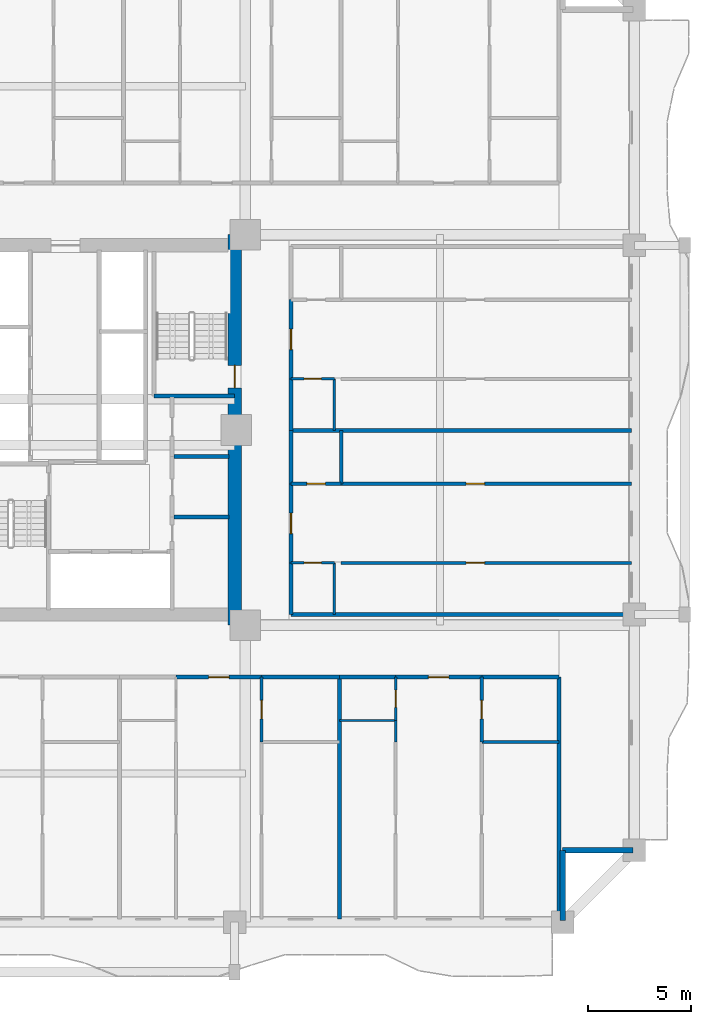
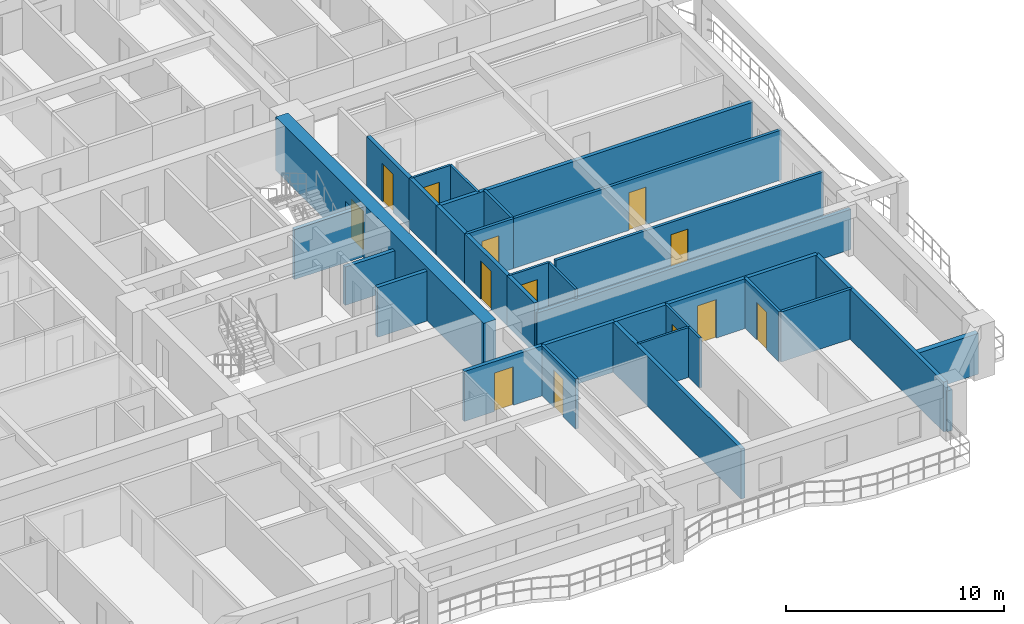
# One storey, part 5 of 16: 34 walls, 13 doors, 13 openings.
"""IFC4 building model written with IfcOpenShell, lengths in metres."""

from ifc_helpers import new_model, si_unit, direction, frame, frame_2d, origin, place, context, subcontext, project, spatial, rectangle, extrude, source, transform, mapped, material, layer, layer_set, type_object, element, fill, save


model = new_model("IFC4")

# Units and contexts
model_context = context("Model", 3, precision=1e-05, world=origin(), true_north=direction((0.0, 1.0)))
body_context = subcontext(model_context, "Body", "Model", "MODEL_VIEW")
ifc_project = project(units=[si_unit("LENGTHUNIT", "METRE"), si_unit("AREAUNIT", "SQUARE_METRE"), si_unit("VOLUMEUNIT", "CUBIC_METRE"), si_unit("PLANEANGLEUNIT", "RADIAN"), si_unit("MASSUNIT", "GRAM", prefix="KILO")], contexts=[model_context])

# Site, building, storey
site_placement = place(None, origin())
site = spatial("IfcSite", under=ifc_project, at=site_placement, CompositionType="ELEMENT")
building_placement = place(site_placement, origin())
building = spatial("IfcBuilding", under=site, at=building_placement, Name="Saelheon Loggia Tower", CompositionType="ELEMENT")
storey_placement = place(building_placement, frame((0.0, 0.0, 31.39990234375)))
storey = spatial("IfcBuildingStorey", under=building, at=storey_placement, Name="L09", CompositionType="ELEMENT", Elevation=31.39990234375)

# Wall, opening, door
ifc_material_1 = material(Name="Concrete C60/75", Category="concrete")
ifc_layer_1 = layer(ifc_material_1, 0.64990234375)
ifc_layer_set_1 = layer_set([ifc_layer_1], Name="Concrete C60/75")
wall_type_1 = type_object("IfcWallType", Name="Wall_CoreShear_650", PredefinedType="SHEAR", material=ifc_layer_set_1)
wall_1_placement = place(storey_placement, frame((44.5, 17.47998046875, 0.0), z_axis=(0.0, 0.0, 1.0), x_axis=(0.0, 1.0, 0.0)))
wall_1 = element("IfcWall", 1, at=wall_1_placement, inside=storey, type_object=wall_type_1, Name="L09 Core Shear Wall East", PredefinedType="SHEAR", context=body_context, shape_type="SweptSolid", body=[
    extrude(rectangle(XDim=19.0400390625, YDim=0.64990234375, at=frame_2d((9.52001953125, 0.0))), origin(), (0.0, 0.0, 1.0), 3.0),
])
opening_1_placement = place(wall_1_placement, frame((12.670166015625, 0.0, 0.0), z_axis=(0.0, 0.0, 1.0), x_axis=(-1.0, 0.0, 0.0)))
opening_1 = element("IfcOpeningElement", 2, at=opening_1_placement, cuts=wall_1, Name="Opening D-FD2", PredefinedType="OPENING", context=body_context, shape_type="SweptSolid", body=[
    extrude(rectangle(XDim=1.10009765625, YDim=2.14990234375, at=frame_2d((0.550048828125, 1.074951171875))), frame((0.0, 0.3369140625, 0.0), z_axis=(0.0, -1.0, 0.0), x_axis=(1.0, 0.0, 0.0)), (0.0, 0.0, 1.0), 0.673828125),
])
ifc_material_2 = material(Name="Galvanised Steel Fire Door", Category="steel")
door_type_1 = type_object("IfcDoorType", Name="Door_Fire_FD60_1100", OperationType="NOTDEFINED", PredefinedType="DOOR", material=ifc_material_2)
shared_shape_1 = source(origin(), body_context, "Body", "SweptSolid", [
    extrude(rectangle(XDim=1.10009765625, YDim=2.14990234375, at=frame_2d((0.550048828125, 1.074951171875))), frame((0.0, 0.02490234375, 0.0), z_axis=(0.0, -1.0, 0.0), x_axis=(1.0, 0.0, 0.0)), (0.0, 0.0, 1.0), 0.050048828125),
])
door_1_placement = place(opening_1_placement, origin())
door_1 = element("IfcDoor", 3, at=door_1_placement, inside=storey, type_object=door_type_1, Name="L09 Stair ST2 Corridor Door", OperationType="SINGLE_SWING_RIGHT", OverallHeight=2.14990234375, OverallWidth=1.10009765625, PredefinedType="DOOR", context=body_context, shape_type="MappedRepresentation", body=[
    mapped(shared_shape_1, transform((0.0, 0.0, 0.0), scale=1.0)),
])
fill(opening_1, door_1)

# Walls
ifc_material_3 = material(Name="Architectural Precast Concrete C40/50", Category="concrete")
ifc_layer_2 = layer(ifc_material_3, 0.280029296875)
ifc_layer_set_2 = layer_set([ifc_layer_2], Name="Architectural Precast Concrete C40/50")
wall_type_2 = type_object("IfcWallType", Name="Wall_Ext_Loggia_280", PredefinedType="SOLIDWALL", material=ifc_layer_set_2)
for number, where, z_axis, x_axis, name in (
    (4, (60.5, 3.080078125, 0.0), (0.0, 0.0, 1.0), (0.0, 1.0, 0.0), "L09 Corner Notch Precast Wall SE1"),
    (5, (60.5, 6.5, 0.0), (0.0, 0.0, 1.0), (1.0, 0.0, 0.0), "L09 Corner Notch Precast Wall SE2"),
):
    element("IfcWall", number, at=place(storey_placement, frame(where, z_axis=z_axis, x_axis=x_axis)), inside=storey, type_object=wall_type_2, Name=name, PredefinedType="SOLIDWALL", context=body_context, shape_type="SweptSolid", body=[
        extrude(rectangle(XDim=3.419921875, YDim=0.280029296875, at=frame_2d((1.7099609375, 0.0))), origin(), (0.0, 0.0, 1.0), 2.280029296875),
    ])

# Wall, opening, door
ifc_material_4 = material(Name="Lightweight Autoclaved Aerated Concrete Block and Acoustic Gypsum", Category="concrete")
ifc_layer_3 = layer(ifc_material_4, 0.14990234375)
ifc_layer_set_3 = layer_set([ifc_layer_3], Name="Lightweight Autoclaved Aerated Concrete Block and Acoustic Gypsum")
wall_type_3 = type_object("IfcWallType", Name="Wall_Part_150", PredefinedType="PARTITIONING", material=ifc_layer_set_3)
wall_2_placement = place(storey_placement, frame((45.820068359375, 14.949951171875, 0.0), z_axis=(0.0, 0.0, 1.0), x_axis=(0.0, -1.0, 0.0)))
wall_2 = element("IfcWall", 6, at=wall_2_placement, inside=storey, type_object=wall_type_3, Name="L09 S Partition U35", PredefinedType="PARTITIONING", context=body_context, shape_type="SweptSolid", body=[
    extrude(rectangle(XDim=3.169921875, YDim=0.14990234375, at=frame_2d((1.5849609375, 0.0))), origin(), (0.0, 0.0, 1.0), 2.7900390625),
])
opening_2_placement = place(wall_2_placement, frame((1.135009765625, 0.0, 0.0)))
opening_2 = element("IfcOpeningElement", 7, at=opening_2_placement, cuts=wall_2, Name="Opening D-IN2", PredefinedType="OPENING", context=body_context, shape_type="SweptSolid", body=[
    extrude(rectangle(XDim=0.89990234375, YDim=2.10009765625, at=frame_2d((0.449951171875, 1.050048828125))), frame((0.0, 0.0869140625, 0.0), z_axis=(0.0, -1.0, 0.0), x_axis=(1.0, 0.0, 0.0)), (0.0, 0.0, 1.0), 0.173828125),
])
ifc_material_5 = material(Name="Engineered Oak Flush Door", Category="timber")
door_type_2 = type_object("IfcDoorType", Name="Door_Int_900", OperationType="NOTDEFINED", PredefinedType="DOOR", material=ifc_material_5)
shared_shape_2 = source(origin(), body_context, "Body", "SweptSolid", [
    extrude(rectangle(XDim=0.89990234375, YDim=2.10009765625, at=frame_2d((0.449951171875, 1.050048828125))), frame((0.0, 0.02490234375, 0.0), z_axis=(0.0, -1.0, 0.0), x_axis=(1.0, 0.0, 0.0)), (0.0, 0.0, 1.0), 0.050048828125),
])
door_2_placement = place(opening_2_placement, origin())
door_2 = element("IfcDoor", 8, at=door_2_placement, inside=storey, type_object=door_type_2, Name="Unit U03 Dressing Closet Door", OperationType="SINGLE_SWING_LEFT", OverallHeight=2.10009765625, OverallWidth=0.89990234375, PredefinedType="DOOR", context=body_context, shape_type="MappedRepresentation", body=[
    mapped(shared_shape_2, transform((0.0, 0.0, 0.0), scale=1.0)),
])
fill(opening_2, door_2)

# Wall
wall_3_placement = place(storey_placement, frame((56.55419921875, 11.780029296875, 0.0), z_axis=(0.0, 0.0, 1.0), x_axis=(1.0, 0.0, 0.0)))
element("IfcWall", 9, at=wall_3_placement, inside=storey, type_object=wall_type_3, Name="L09 S Partition V42", PredefinedType="PARTITIONING", context=body_context, shape_type="SweptSolid", body=[
    extrude(rectangle(XDim=3.765869140625, YDim=0.14990234375, at=frame_2d((1.8828125, 0.0))), origin(), (0.0, 0.0, 1.0), 2.7900390625),
])

# Wall, opening, door
wall_4_placement = place(storey_placement, frame((56.55419921875, 14.949951171875, 0.0), z_axis=(0.0, 0.0, 1.0), x_axis=(0.0, -1.0, 0.0)))
wall_4 = element("IfcWall", 10, at=wall_4_placement, inside=storey, type_object=wall_type_3, Name="L09 S Partition U46", PredefinedType="PARTITIONING", context=body_context, shape_type="SweptSolid", body=[
    extrude(rectangle(XDim=3.169921875, YDim=0.14990234375, at=frame_2d((1.5849609375, 0.0))), origin(), (0.0, 0.0, 1.0), 2.7900390625),
])
opening_3_placement = place(wall_4_placement, frame((1.135009765625, 0.0, 0.0)))
opening_3 = element("IfcOpeningElement", 11, at=opening_3_placement, cuts=wall_4, Name="Opening D-IN2", PredefinedType="OPENING", context=body_context, shape_type="SweptSolid", body=[
    extrude(rectangle(XDim=0.89990234375, YDim=2.10009765625, at=frame_2d((0.449951171875, 1.050048828125))), frame((0.0, 0.0869140625, 0.0), z_axis=(0.0, -1.0, 0.0), x_axis=(1.0, 0.0, 0.0)), (0.0, 0.0, 1.0), 0.173828125),
])
door_3_placement = place(opening_3_placement, origin())
door_3 = element("IfcDoor", 12, at=door_3_placement, inside=storey, type_object=door_type_2, Name="Unit U04 Dressing Closet Door", OperationType="SINGLE_SWING_RIGHT", OverallHeight=2.10009765625, OverallWidth=0.89990234375, PredefinedType="DOOR", context=body_context, shape_type="MappedRepresentation", body=[
    mapped(shared_shape_2, transform((0.0, 0.0, 0.0), scale=1.0)),
])
fill(opening_3, door_3)

# Wall
wall_5_placement = place(storey_placement, frame((49.699951171875, 24.375, 0.0), z_axis=(0.0, 0.0, 1.0), x_axis=(0.0, 1.0, 0.0)))
element("IfcWall", 13, at=wall_5_placement, inside=storey, type_object=wall_type_3, Name="L09 E Partition V07", PredefinedType="PARTITIONING", context=body_context, shape_type="SweptSolid", body=[
    extrude(rectangle(XDim=2.60009765625, YDim=0.14990234375, at=frame_2d((1.300048828125, 0.0))), origin(), (0.0, 0.0, 1.0), 2.7900390625),
])

# Wall, opening, door
wall_6_placement = place(storey_placement, frame((49.699951171875, 20.512939453125, 0.0), z_axis=(0.0, 0.0, 1.0), x_axis=(1.0, 0.0, 0.0)))
wall_6 = element("IfcWall", 14, at=wall_6_placement, inside=storey, type_object=wall_type_3, Name="L09 E Partition U09", PredefinedType="PARTITIONING", context=body_context, shape_type="SweptSolid", body=[
    extrude(rectangle(XDim=14.150146484375, YDim=0.14990234375, at=frame_2d((7.0751953125, 0.0))), origin(), (0.0, 0.0, 1.0), 2.7900390625),
])
opening_4_placement = place(wall_6_placement, frame((6.093017578125, 0.0, 0.0)))
opening_4 = element("IfcOpeningElement", 15, at=opening_4_placement, cuts=wall_6, Name="Opening D-IN2", PredefinedType="OPENING", context=body_context, shape_type="SweptSolid", body=[
    extrude(rectangle(XDim=0.89990234375, YDim=2.10009765625, at=frame_2d((0.449951171875, 1.050048828125))), frame((0.0, 0.0869140625, 0.0), z_axis=(0.0, -1.0, 0.0), x_axis=(1.0, 0.0, 0.0)), (0.0, 0.0, 1.0), 0.173828125),
])
door_4_placement = place(opening_4_placement, origin())
door_4 = element("IfcDoor", 16, at=door_4_placement, inside=storey, type_object=door_type_2, Name="Unit U12 Kitchen Door", OperationType="SINGLE_SWING_RIGHT", OverallHeight=2.10009765625, OverallWidth=0.89990234375, PredefinedType="DOOR", context=body_context, shape_type="MappedRepresentation", body=[
    mapped(shared_shape_2, transform((0.0, 0.0, 0.0), scale=1.0)),
])
fill(opening_4, door_4)

wall_7_placement = place(storey_placement, frame((47.25, 24.375, 0.0), z_axis=(0.0, 0.0, 1.0), x_axis=(1.0, 0.0, 0.0)))
wall_7 = element("IfcWall", 17, at=wall_7_placement, inside=storey, type_object=wall_type_3, Name="L09 E Partition U10", PredefinedType="PARTITIONING", context=body_context, shape_type="SweptSolid", body=[
    extrude(rectangle(XDim=2.449951171875, YDim=0.14990234375, at=frame_2d((1.22509765625, 0.0))), origin(), (0.0, 0.0, 1.0), 2.7900390625),
])
opening_5_placement = place(wall_7_placement, frame((0.77490234375, 0.0, 0.0)))
opening_5 = element("IfcOpeningElement", 18, at=opening_5_placement, cuts=wall_7, Name="Opening D-IN2", PredefinedType="OPENING", context=body_context, shape_type="SweptSolid", body=[
    extrude(rectangle(XDim=0.89990234375, YDim=2.10009765625, at=frame_2d((0.449951171875, 1.050048828125))), frame((0.0, 0.0869140625, 0.0), z_axis=(0.0, -1.0, 0.0), x_axis=(1.0, 0.0, 0.0)), (0.0, 0.0, 1.0), 0.173828125),
])
door_5_placement = place(opening_5_placement, origin())
door_5 = element("IfcDoor", 19, at=door_5_placement, inside=storey, type_object=door_type_2, Name="Unit U12 Dressing Closet Door", OperationType="SINGLE_SWING_LEFT", OverallHeight=2.10009765625, OverallWidth=0.89990234375, PredefinedType="DOOR", context=body_context, shape_type="MappedRepresentation", body=[
    mapped(shared_shape_2, transform((0.0, 0.0, 0.0), scale=1.0)),
])
fill(opening_5, door_5)

wall_8_placement = place(storey_placement, frame((49.699951171875, 24.375, 0.0), z_axis=(0.0, 0.0, 1.0), x_axis=(1.0, 0.0, 0.0)))
wall_8 = element("IfcWall", 20, at=wall_8_placement, inside=storey, type_object=wall_type_3, Name="L09 E Partition U11", PredefinedType="PARTITIONING", context=body_context, shape_type="SweptSolid", body=[
    extrude(rectangle(XDim=14.150146484375, YDim=0.14990234375, at=frame_2d((7.0751953125, 0.0))), origin(), (0.0, 0.0, 1.0), 2.7900390625),
])
opening_6_placement = place(wall_8_placement, frame((6.093017578125, 0.0, 0.0)))
opening_6 = element("IfcOpeningElement", 21, at=opening_6_placement, cuts=wall_8, Name="Opening D-IN2", PredefinedType="OPENING", context=body_context, shape_type="SweptSolid", body=[
    extrude(rectangle(XDim=0.89990234375, YDim=2.10009765625, at=frame_2d((0.449951171875, 1.050048828125))), frame((0.0, 0.0869140625, 0.0), z_axis=(0.0, -1.0, 0.0), x_axis=(1.0, 0.0, 0.0)), (0.0, 0.0, 1.0), 0.173828125),
])
door_6_placement = place(opening_6_placement, origin())
door_6 = element("IfcDoor", 22, at=door_6_placement, inside=storey, type_object=door_type_2, Name="Unit U12 Bedroom 1 Door", OperationType="SINGLE_SWING_RIGHT", OverallHeight=2.10009765625, OverallWidth=0.89990234375, PredefinedType="DOOR", context=body_context, shape_type="MappedRepresentation", body=[
    mapped(shared_shape_2, transform((0.0, 0.0, 0.0), scale=1.0)),
])
fill(opening_6, door_6)

# Wall
ifc_material_6 = material(Name="Double Acoustic Stud and Fireboard Partition", Category="gypsum")
ifc_layer_4 = layer(ifc_material_6, 0.199951171875)
ifc_layer_set_4 = layer_set([ifc_layer_4], Name="Double Acoustic Stud and Fireboard Partition")
wall_type_4 = type_object("IfcWallType", Name="Wall_Party_200", PredefinedType="PARTITIONING", material=ifc_layer_set_4)
wall_9_placement = place(storey_placement, frame((60.320068359375, 14.949951171875, 0.0), z_axis=(0.0, 0.0, 1.0), x_axis=(0.0, -1.0, 0.0)))
element("IfcWall", 23, at=wall_9_placement, inside=storey, type_object=wall_type_4, Name="L09 S Partition U02", PredefinedType="PARTITIONING", context=body_context, shape_type="SweptSolid", body=[
    extrude(rectangle(XDim=11.800048828125, YDim=0.199951171875, at=frame_2d((5.89990234375, 0.0))), origin(), (0.0, 0.0, 1.0), 2.7900390625),
])

# Wall, opening, door
wall_10_placement = place(storey_placement, frame((41.642822265625, 14.949951171875, 0.0), z_axis=(0.0, 0.0, 1.0), x_axis=(1.0, 0.0, 0.0)))
wall_10 = element("IfcWall", 24, at=wall_10_placement, inside=storey, type_object=wall_type_4, Name="L09 S Partition V28", PredefinedType="PARTITIONING", context=body_context, shape_type="SweptSolid", body=[
    extrude(rectangle(XDim=4.17724609375, YDim=0.199951171875, at=frame_2d((2.088623046875, 0.0))), origin(), (0.0, 0.0, 1.0), 2.7900390625),
])
opening_7_placement = place(wall_10_placement, frame((1.588623046875, 0.0, 0.0)))
opening_7 = element("IfcOpeningElement", 25, at=opening_7_placement, cuts=wall_10, Name="Opening D-FD1", PredefinedType="OPENING", context=body_context, shape_type="SweptSolid", body=[
    extrude(rectangle(XDim=1.0, YDim=2.14990234375, at=frame_2d((0.5, 1.074951171875))), frame((0.0, 0.112060546875, 0.0), z_axis=(0.0, -1.0, 0.0), x_axis=(1.0, 0.0, 0.0)), (0.0, 0.0, 1.0), 0.223876953125),
])
ifc_material_7 = material(Name="Fire-Rated Engineered Timber Entrance Door", Category="wood")
door_type_3 = type_object("IfcDoorType", Name="Door_Flat_FD30S", OperationType="NOTDEFINED", PredefinedType="DOOR", material=ifc_material_7)
shared_shape_3 = source(origin(), body_context, "Body", "SweptSolid", [
    extrude(rectangle(XDim=1.0, YDim=2.14990234375, at=frame_2d((0.5, 1.074951171875))), frame((0.0, 0.02490234375, 0.0), z_axis=(0.0, -1.0, 0.0), x_axis=(1.0, 0.0, 0.0)), (0.0, 0.0, 1.0), 0.050048828125),
])
door_7_placement = place(opening_7_placement, origin())
door_7 = element("IfcDoor", 26, at=door_7_placement, inside=storey, type_object=door_type_3, Name="Unit U03 Entrance Door", OperationType="SINGLE_SWING_RIGHT", OverallHeight=2.14990234375, OverallWidth=1.0, PredefinedType="DOOR", context=body_context, shape_type="MappedRepresentation", body=[
    mapped(shared_shape_3, transform((0.0, 0.0, 0.0), scale=1.0)),
])
fill(opening_7, door_7)

# Walls
wall_11_placement = place(storey_placement, frame((45.820068359375, 14.949951171875, 0.0), z_axis=(0.0, 0.0, 1.0), x_axis=(1.0, 0.0, 0.0)))
element("IfcWall", 27, at=wall_11_placement, inside=storey, type_object=wall_type_4, Name="L09 S Partition V29", PredefinedType="PARTITIONING", context=body_context, shape_type="SweptSolid", body=[
    extrude(rectangle(XDim=3.786376953125, YDim=0.199951171875, at=frame_2d((1.89306640625, 0.0))), origin(), (0.0, 0.0, 1.0), 2.7900390625),
])
wall_12_placement = place(storey_placement, frame((49.6064453125, 14.949951171875, 0.0), z_axis=(0.0, 0.0, 1.0), x_axis=(0.0, -1.0, 0.0)))
element("IfcWall", 28, at=wall_12_placement, inside=storey, type_object=wall_type_4, Name="L09 S Partition U37", PredefinedType="PARTITIONING", context=body_context, shape_type="SweptSolid", body=[
    extrude(rectangle(XDim=11.800048828125, YDim=0.199951171875, at=frame_2d((5.89990234375, 0.0))), origin(), (0.0, 0.0, 1.0), 2.7900390625),
])
wall_13_placement = place(storey_placement, frame((49.6064453125, 14.949951171875, 0.0), z_axis=(0.0, 0.0, 1.0), x_axis=(1.0, 0.0, 0.0)))
element("IfcWall", 29, at=wall_13_placement, inside=storey, type_object=wall_type_4, Name="L09 S Partition V38", PredefinedType="PARTITIONING", context=body_context, shape_type="SweptSolid", body=[
    extrude(rectangle(XDim=2.75, YDim=0.199951171875, at=frame_2d((1.375, 0.0))), origin(), (0.0, 0.0, 1.0), 2.7900390625),
])

# Wall, opening, door
wall_14_placement = place(storey_placement, frame((52.3564453125, 14.949951171875, 0.0), z_axis=(0.0, 0.0, 1.0), x_axis=(1.0, 0.0, 0.0)))
wall_14 = element("IfcWall", 30, at=wall_14_placement, inside=storey, type_object=wall_type_4, Name="L09 S Partition V39", PredefinedType="PARTITIONING", context=body_context, shape_type="SweptSolid", body=[
    extrude(rectangle(XDim=4.19775390625, YDim=0.199951171875, at=frame_2d((2.098876953125, 0.0))), origin(), (0.0, 0.0, 1.0), 2.7900390625),
])
opening_8_placement = place(wall_14_placement, frame((1.598876953125, 0.0, 0.0)))
opening_8 = element("IfcOpeningElement", 31, at=opening_8_placement, cuts=wall_14, Name="Opening D-FD1", PredefinedType="OPENING", context=body_context, shape_type="SweptSolid", body=[
    extrude(rectangle(XDim=1.0, YDim=2.14990234375, at=frame_2d((0.5, 1.074951171875))), frame((0.0, 0.112060546875, 0.0), z_axis=(0.0, -1.0, 0.0), x_axis=(1.0, 0.0, 0.0)), (0.0, 0.0, 1.0), 0.223876953125),
])
door_8_placement = place(opening_8_placement, origin())
door_8 = element("IfcDoor", 32, at=door_8_placement, inside=storey, type_object=door_type_3, Name="Unit U04 Entrance Door", OperationType="SINGLE_SWING_LEFT", OverallHeight=2.14990234375, OverallWidth=1.0, PredefinedType="DOOR", context=body_context, shape_type="MappedRepresentation", body=[
    mapped(shared_shape_3, transform((0.0, 0.0, 0.0), scale=1.0)),
])
fill(opening_8, door_8)

# Walls
wall_15_placement = place(storey_placement, frame((56.55419921875, 14.949951171875, 0.0), z_axis=(0.0, 0.0, 1.0), x_axis=(1.0, 0.0, 0.0)))
element("IfcWall", 33, at=wall_15_placement, inside=storey, type_object=wall_type_4, Name="L09 S Partition V40", PredefinedType="PARTITIONING", context=body_context, shape_type="SweptSolid", body=[
    extrude(rectangle(XDim=3.765869140625, YDim=0.199951171875, at=frame_2d((1.8828125, 0.0))), origin(), (0.0, 0.0, 1.0), 2.7900390625),
])
wall_16_placement = place(storey_placement, frame((47.25, 18.0, 0.0), z_axis=(0.0, 0.0, 1.0), x_axis=(1.0, 0.0, 0.0)))
element("IfcWall", 34, at=wall_16_placement, inside=storey, type_object=wall_type_4, Name="L09 E Partition U01", PredefinedType="PARTITIONING", context=body_context, shape_type="SweptSolid", body=[
    extrude(rectangle(XDim=16.60009765625, YDim=0.199951171875, at=frame_2d((8.300048828125, 0.0))), origin(), (0.0, 0.0, 1.0), 2.239990234375),
])
wall_17_placement = place(storey_placement, frame((47.25, 18.0, 0.0), z_axis=(0.0, 0.0, 1.0), x_axis=(0.0, 1.0, 0.0)))
element("IfcWall", 35, at=wall_17_placement, inside=storey, type_object=wall_type_4, Name="L09 E Partition V03", PredefinedType="PARTITIONING", context=body_context, shape_type="SweptSolid", body=[
    extrude(rectangle(XDim=2.512939453125, YDim=0.199951171875, at=frame_2d((1.25634765625, 0.0))), origin(), (0.0, 0.0, 1.0), 2.7900390625),
])

# Wall, opening, door
wall_18_placement = place(storey_placement, frame((47.25, 20.512939453125, 0.0), z_axis=(0.0, 0.0, 1.0), x_axis=(0.0, 1.0, 0.0)))
wall_18 = element("IfcWall", 36, at=wall_18_placement, inside=storey, type_object=wall_type_4, Name="L09 E Partition V04", PredefinedType="PARTITIONING", context=body_context, shape_type="SweptSolid", body=[
    extrude(rectangle(XDim=3.862060546875, YDim=0.199951171875, at=frame_2d((1.93115234375, 0.0))), origin(), (0.0, 0.0, 1.0), 2.7900390625),
])
opening_9_placement = place(wall_18_placement, frame((1.430908203125, 0.0, 0.0)))
opening_9 = element("IfcOpeningElement", 37, at=opening_9_placement, cuts=wall_18, Name="Opening D-FD1", PredefinedType="OPENING", context=body_context, shape_type="SweptSolid", body=[
    extrude(rectangle(XDim=1.0, YDim=2.14990234375, at=frame_2d((0.5, 1.074951171875))), frame((0.0, 0.112060546875, 0.0), z_axis=(0.0, -1.0, 0.0), x_axis=(1.0, 0.0, 0.0)), (0.0, 0.0, 1.0), 0.223876953125),
])
door_9_placement = place(opening_9_placement, origin())
door_9 = element("IfcDoor", 38, at=door_9_placement, inside=storey, type_object=door_type_3, Name="Unit U12 Entrance Door", OperationType="SINGLE_SWING_RIGHT", OverallHeight=2.14990234375, OverallWidth=1.0, PredefinedType="DOOR", context=body_context, shape_type="MappedRepresentation", body=[
    mapped(shared_shape_3, transform((0.0, 0.0, 0.0), scale=1.0)),
])
fill(opening_9, door_9)

# Walls
wall_19_placement = place(storey_placement, frame((47.25, 24.375, 0.0), z_axis=(0.0, 0.0, 1.0), x_axis=(0.0, 1.0, 0.0)))
element("IfcWall", 39, at=wall_19_placement, inside=storey, type_object=wall_type_4, Name="L09 E Partition V05", PredefinedType="PARTITIONING", context=body_context, shape_type="SweptSolid", body=[
    extrude(rectangle(XDim=2.60009765625, YDim=0.199951171875, at=frame_2d((1.300048828125, 0.0))), origin(), (0.0, 0.0, 1.0), 2.7900390625),
])
wall_20_placement = place(storey_placement, frame((47.25, 26.97509765625, 0.0), z_axis=(0.0, 0.0, 1.0), x_axis=(1.0, 0.0, 0.0)))
element("IfcWall", 40, at=wall_20_placement, inside=storey, type_object=wall_type_4, Name="L09 E Partition U12", PredefinedType="PARTITIONING", context=body_context, shape_type="SweptSolid", body=[
    extrude(rectangle(XDim=16.60009765625, YDim=0.199951171875, at=frame_2d((8.300048828125, 0.0))), origin(), (0.0, 0.0, 1.0), 2.7900390625),
])
wall_21_placement = place(storey_placement, frame((47.25, 26.97509765625, 0.0), z_axis=(0.0, 0.0, 1.0), x_axis=(0.0, 1.0, 0.0)))
element("IfcWall", 41, at=wall_21_placement, inside=storey, type_object=wall_type_4, Name="L09 E Partition V13", PredefinedType="PARTITIONING", context=body_context, shape_type="SweptSolid", body=[
    extrude(rectangle(XDim=2.512939453125, YDim=0.199951171875, at=frame_2d((1.25634765625, 0.0))), origin(), (0.0, 0.0, 1.0), 2.7900390625),
])

# Wall, opening, door
wall_22_placement = place(storey_placement, frame((47.25, 29.488037109375, 0.0), z_axis=(0.0, 0.0, 1.0), x_axis=(0.0, 1.0, 0.0)))
wall_22 = element("IfcWall", 42, at=wall_22_placement, inside=storey, type_object=wall_type_4, Name="L09 E Partition V14", PredefinedType="PARTITIONING", context=body_context, shape_type="SweptSolid", body=[
    extrude(rectangle(XDim=3.862060546875, YDim=0.199951171875, at=frame_2d((1.93115234375, 0.0))), origin(), (0.0, 0.0, 1.0), 2.7900390625),
])
opening_10_placement = place(wall_22_placement, frame((1.430908203125, 0.0, 0.0)))
opening_10 = element("IfcOpeningElement", 43, at=opening_10_placement, cuts=wall_22, Name="Opening D-FD1", PredefinedType="OPENING", context=body_context, shape_type="SweptSolid", body=[
    extrude(rectangle(XDim=1.0, YDim=2.14990234375, at=frame_2d((0.5, 1.074951171875))), frame((0.0, 0.112060546875, 0.0), z_axis=(0.0, -1.0, 0.0), x_axis=(1.0, 0.0, 0.0)), (0.0, 0.0, 1.0), 0.223876953125),
])
door_10_placement = place(opening_10_placement, origin())
door_10 = element("IfcDoor", 44, at=door_10_placement, inside=storey, type_object=door_type_3, Name="Unit U13 Entrance Door", OperationType="SINGLE_SWING_LEFT", OverallHeight=2.14990234375, OverallWidth=1.0, PredefinedType="DOOR", context=body_context, shape_type="MappedRepresentation", body=[
    mapped(shared_shape_3, transform((0.0, 0.0, 0.0), scale=1.0)),
])
fill(opening_10, door_10)

# Walls
ifc_material_8 = material(Name="Concrete C40/50", Category="concrete")
ifc_layer_5 = layer(ifc_material_8, 0.199951171875)
ifc_layer_set_5 = layer_set([ifc_layer_5], Name="Concrete C40/50")
wall_type_5 = type_object("IfcWallType", Name="Wall_Shaft_200", PredefinedType="PARTITIONING", material=ifc_layer_set_5)
wall_23_placement = place(storey_placement, frame((41.550048828125, 22.75, 0.0), z_axis=(0.0, 0.0, 1.0), x_axis=(1.0, 0.0, 0.0)))
element("IfcWall", 45, at=wall_23_placement, inside=storey, type_object=wall_type_5, Name="CW-BOH-L09-H1", PredefinedType="PARTITIONING", context=body_context, shape_type="SweptSolid", body=[
    extrude(rectangle(XDim=2.669921875, YDim=0.199951171875, at=frame_2d((1.3349609375, 0.0))), origin(), (0.0, 0.0, 1.0), 2.7900390625),
])
wall_24_placement = place(storey_placement, frame((41.550048828125, 25.699951171875, 0.0), z_axis=(0.0, 0.0, 1.0), x_axis=(1.0, 0.0, 0.0)))
element("IfcWall", 46, at=wall_24_placement, inside=storey, type_object=wall_type_5, Name="CW-BOH-L09-H2", PredefinedType="PARTITIONING", context=body_context, shape_type="SweptSolid", body=[
    extrude(rectangle(XDim=2.669921875, YDim=0.199951171875, at=frame_2d((1.3349609375, 0.0))), origin(), (0.0, 0.0, 1.0), 2.14013671875),
])
ifc_material_9 = material(Name="Concrete C45/55", Category="concrete")
ifc_layer_6 = layer(ifc_material_9, 0.199951171875)
ifc_layer_set_6 = layer_set([ifc_layer_6], Name="Concrete C45/55")
wall_type_6 = type_object("IfcWallType", Name="Wall_StairShaft_RC200", PredefinedType="SOLIDWALL", material=ifc_layer_set_6)
wall_25_placement = place(storey_placement, frame((40.570068359375, 28.64990234375, 0.0), z_axis=(0.0, 0.0, 1.0), x_axis=(1.0, 0.0, 0.0)))
element("IfcWall", 47, at=wall_25_placement, inside=storey, type_object=wall_type_6, Name="L09 Stair ST2 South Wall", PredefinedType="SOLIDWALL", context=body_context, shape_type="SweptSolid", body=[
    extrude(rectangle(XDim=3.929931640625, YDim=0.199951171875, at=frame_2d((1.96484375, 0.0))), origin(), (0.0, 0.0, 1.0), 2.7900390625),
])
ifc_material_10 = material(Name="Moisture-Resistant Cement Board Partition", Category="gypsum")
ifc_layer_7 = layer(ifc_material_10, 0.1201171875)
ifc_layer_set_7 = layer_set([ifc_layer_7], Name="Moisture-Resistant Cement Board Partition")
wall_type_7 = type_object("IfcWallType", Name="Wall_WetPart_120", PredefinedType="PARTITIONING", material=ifc_layer_set_7)
wall_26_placement = place(storey_placement, frame((49.6064453125, 12.830078125, 0.0), z_axis=(0.0, 0.0, 1.0), x_axis=(1.0, 0.0, 0.0)))
element("IfcWall", 48, at=wall_26_placement, inside=storey, type_object=wall_type_7, Name="L09 S Partition V41", PredefinedType="PARTITIONING", context=body_context, shape_type="SweptSolid", body=[
    extrude(rectangle(XDim=2.75, YDim=0.1201171875, at=frame_2d((1.375, 0.0))), origin(), (0.0, 0.0, 1.0), 2.7900390625),
])

# Wall, opening, door
wall_27_placement = place(storey_placement, frame((52.3564453125, 14.949951171875, 0.0), z_axis=(0.0, 0.0, 1.0), x_axis=(0.0, -1.0, 0.0)))
wall_27 = element("IfcWall", 49, at=wall_27_placement, inside=storey, type_object=wall_type_7, Name="L09 S Partition U43", PredefinedType="PARTITIONING", context=body_context, shape_type="SweptSolid", body=[
    extrude(rectangle(XDim=2.119873046875, YDim=0.1201171875, at=frame_2d((1.06005859375, 0.0))), origin(), (0.0, 0.0, 1.0), 2.7900390625),
])
opening_11_placement = place(wall_27_placement, frame((0.635009765625, 0.0, 0.0)))
opening_11 = element("IfcOpeningElement", 50, at=opening_11_placement, cuts=wall_27, Name="Opening D-BT1", PredefinedType="OPENING", context=body_context, shape_type="SweptSolid", body=[
    extrude(rectangle(XDim=0.85009765625, YDim=2.050048828125, at=frame_2d((0.425048828125, 1.02490234375))), frame((0.0, 0.072021484375, 0.0), z_axis=(0.0, -1.0, 0.0), x_axis=(1.0, 0.0, 0.0)), (0.0, 0.0, 1.0), 0.14404296875),
])
ifc_material_11 = material(Name="Moisture-Resistant Laminate Timber Door", Category="wood")
door_type_4 = type_object("IfcDoorType", Name="Door_Bath_850", OperationType="NOTDEFINED", PredefinedType="DOOR", material=ifc_material_11)
shared_shape_4 = source(origin(), body_context, "Body", "SweptSolid", [
    extrude(rectangle(XDim=0.85009765625, YDim=2.050048828125, at=frame_2d((0.425048828125, 1.02490234375))), frame((0.0, 0.02490234375, 0.0), z_axis=(0.0, -1.0, 0.0), x_axis=(1.0, 0.0, 0.0)), (0.0, 0.0, 1.0), 0.050048828125),
])
door_11_placement = place(opening_11_placement, origin())
door_11 = element("IfcDoor", 51, at=door_11_placement, inside=storey, type_object=door_type_4, Name="Unit U04 Bathroom Door", OperationType="SINGLE_SWING_RIGHT", OverallHeight=2.050048828125, OverallWidth=0.85009765625, PredefinedType="DOOR", context=body_context, shape_type="MappedRepresentation", body=[
    mapped(shared_shape_4, transform((0.0, 0.0, 0.0), scale=1.0)),
])
fill(opening_11, door_11)

# Walls
wall_28_placement = place(storey_placement, frame((52.3564453125, 12.830078125, 0.0), z_axis=(0.0, 0.0, 1.0), x_axis=(0.0, -1.0, 0.0)))
element("IfcWall", 52, at=wall_28_placement, inside=storey, type_object=wall_type_7, Name="L09 S Partition U44", PredefinedType="PARTITIONING", context=body_context, shape_type="SweptSolid", body=[
    extrude(rectangle(XDim=1.050048828125, YDim=0.1201171875, at=frame_2d((0.52490234375, 0.0))), origin(), (0.0, 0.0, 1.0), 2.7900390625),
])
wall_29_placement = place(storey_placement, frame((49.3701171875, 18.0, 0.0), z_axis=(0.0, 0.0, 1.0), x_axis=(0.0, 1.0, 0.0)))
element("IfcWall", 53, at=wall_29_placement, inside=storey, type_object=wall_type_7, Name="L09 E Partition V06", PredefinedType="PARTITIONING", context=body_context, shape_type="SweptSolid", body=[
    extrude(rectangle(XDim=2.512939453125, YDim=0.1201171875, at=frame_2d((1.25634765625, 0.0))), origin(), (0.0, 0.0, 1.0), 2.7900390625),
])

# Wall, opening, door
wall_30_placement = place(storey_placement, frame((47.25, 20.512939453125, 0.0), z_axis=(0.0, 0.0, 1.0), x_axis=(1.0, 0.0, 0.0)))
wall_30 = element("IfcWall", 54, at=wall_30_placement, inside=storey, type_object=wall_type_7, Name="L09 E Partition U08", PredefinedType="PARTITIONING", context=body_context, shape_type="SweptSolid", body=[
    extrude(rectangle(XDim=2.1201171875, YDim=0.1201171875, at=frame_2d((1.06005859375, 0.0))), origin(), (0.0, 0.0, 1.0), 2.7900390625),
])
opening_12_placement = place(wall_30_placement, frame((0.635009765625, 0.0, 0.0)))
opening_12 = element("IfcOpeningElement", 55, at=opening_12_placement, cuts=wall_30, Name="Opening D-BT1", PredefinedType="OPENING", context=body_context, shape_type="SweptSolid", body=[
    extrude(rectangle(XDim=0.85009765625, YDim=2.050048828125, at=frame_2d((0.425048828125, 1.02490234375))), frame((0.0, 0.072021484375, 0.0), z_axis=(0.0, -1.0, 0.0), x_axis=(1.0, 0.0, 0.0)), (0.0, 0.0, 1.0), 0.14404296875),
])
door_12_placement = place(opening_12_placement, origin())
door_12 = element("IfcDoor", 56, at=door_12_placement, inside=storey, type_object=door_type_4, Name="Unit U12 Bathroom Door", OperationType="SINGLE_SWING_LEFT", OverallHeight=2.050048828125, OverallWidth=0.85009765625, PredefinedType="DOOR", context=body_context, shape_type="MappedRepresentation", body=[
    mapped(shared_shape_4, transform((0.0, 0.0, 0.0), scale=1.0)),
])
fill(opening_12, door_12)

# Wall
wall_31_placement = place(storey_placement, frame((49.3701171875, 26.97509765625, 0.0), z_axis=(0.0, 0.0, 1.0), x_axis=(0.0, 1.0, 0.0)))
element("IfcWall", 57, at=wall_31_placement, inside=storey, type_object=wall_type_7, Name="L09 E Partition V16", PredefinedType="PARTITIONING", context=body_context, shape_type="SweptSolid", body=[
    extrude(rectangle(XDim=2.512939453125, YDim=0.1201171875, at=frame_2d((1.25634765625, 0.0))), origin(), (0.0, 0.0, 1.0), 2.7900390625),
])

# Wall, opening, door
wall_32_placement = place(storey_placement, frame((47.25, 29.488037109375, 0.0), z_axis=(0.0, 0.0, 1.0), x_axis=(1.0, 0.0, 0.0)))
wall_32 = element("IfcWall", 58, at=wall_32_placement, inside=storey, type_object=wall_type_7, Name="L09 E Partition U18", PredefinedType="PARTITIONING", context=body_context, shape_type="SweptSolid", body=[
    extrude(rectangle(XDim=2.1201171875, YDim=0.1201171875, at=frame_2d((1.06005859375, 0.0))), origin(), (0.0, 0.0, 1.0), 2.7900390625),
])
opening_13_placement = place(wall_32_placement, frame((0.635009765625, 0.0, 0.0)))
opening_13 = element("IfcOpeningElement", 59, at=opening_13_placement, cuts=wall_32, Name="Opening D-BT1", PredefinedType="OPENING", context=body_context, shape_type="SweptSolid", body=[
    extrude(rectangle(XDim=0.85009765625, YDim=2.050048828125, at=frame_2d((0.425048828125, 1.02490234375))), frame((0.0, 0.072021484375, 0.0), z_axis=(0.0, -1.0, 0.0), x_axis=(1.0, 0.0, 0.0)), (0.0, 0.0, 1.0), 0.14404296875),
])
door_13_placement = place(opening_13_placement, origin())
door_13 = element("IfcDoor", 60, at=door_13_placement, inside=storey, type_object=door_type_4, Name="Unit U13 Bathroom Door", OperationType="SINGLE_SWING_RIGHT", OverallHeight=2.050048828125, OverallWidth=0.85009765625, PredefinedType="DOOR", context=body_context, shape_type="MappedRepresentation", body=[
    mapped(shared_shape_4, transform((0.0, 0.0, 0.0), scale=1.0)),
])
fill(opening_13, door_13)

save(model, "model.ifc")
